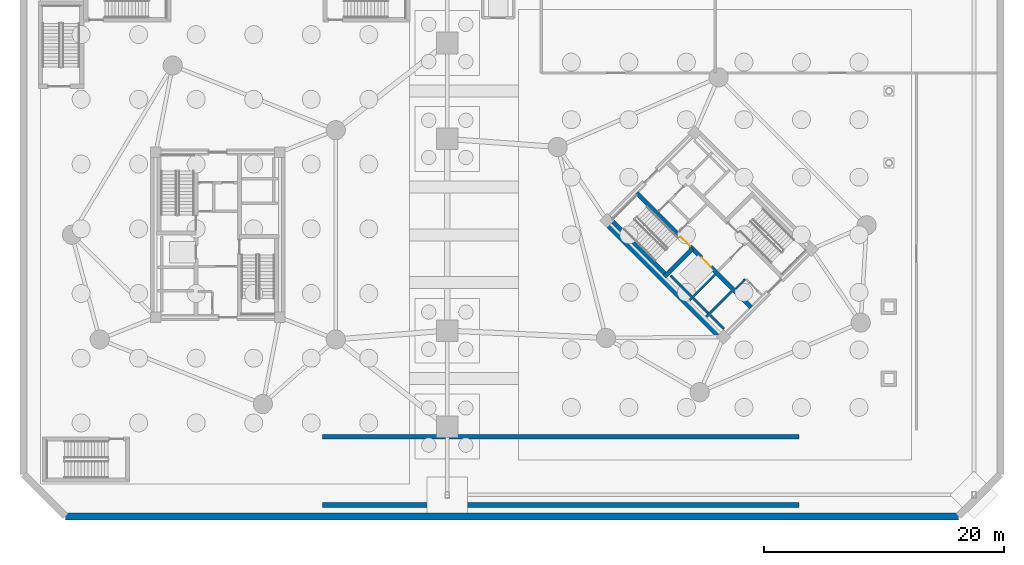
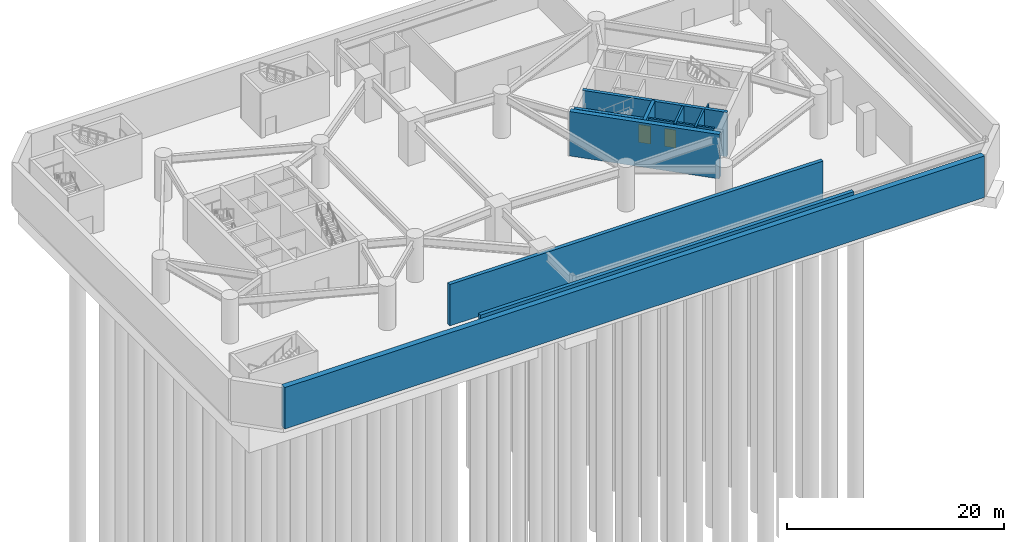
# One storey, part 7 of 15: 13 walls, 2 doors, 2 openings.
"""IFC4 building model written with IfcOpenShell, lengths in metres."""

from ifc_helpers import new_model, si_unit, direction, frame, frame_2d, origin, place, context, subcontext, project, spatial, rectangle, extrude, source, transform, mapped, material, layer, layer_set, type_object, element, fill, save


model = new_model("IFC4")

# Units and contexts
model_context = context("Model", 3, precision=1e-05, world=origin(), true_north=direction((0.0, 1.0)))
body_context = subcontext(model_context, "Body", "Model", "MODEL_VIEW")
ifc_project = project(units=[si_unit("LENGTHUNIT", "METRE"), si_unit("AREAUNIT", "SQUARE_METRE"), si_unit("VOLUMEUNIT", "CUBIC_METRE"), si_unit("PLANEANGLEUNIT", "RADIAN"), si_unit("MASSUNIT", "GRAM", prefix="KILO")], contexts=[model_context])

# Site, building, storey
site_placement = place(None, origin())
site = spatial("IfcSite", under=ifc_project, at=site_placement, CompositionType="ELEMENT")
building_placement = place(site_placement, origin())
building = spatial("IfcBuilding", under=site, at=building_placement, Name="Cununo Teusaquillo Station Towers", CompositionType="ELEMENT")
storey_placement = place(building_placement, frame((0.0, 0.0, -10.0)))
storey = spatial("IfcBuildingStorey", under=building, at=storey_placement, Name="B02", CompositionType="ELEMENT", Elevation=-10.0)

# Walls
ifc_material_1 = material(Name="Concrete C50/60", Category="concrete")
ifc_layer_1 = layer(ifc_material_1, 0.199951171875)
ifc_layer_set_1 = layer_set([ifc_layer_1], Name="Concrete C50/60")
wall_type_1 = type_object("IfcWallType", Name="WL-CORE-200", PredefinedType="SHEAR", material=ifc_layer_set_1)
wall_1_placement = place(storey_placement, frame((55.8876953125, 19.0693359375, 0.0), z_axis=(0.0, 0.0, 1.0), x_axis=(0.707106781187, 0.707106781187, 0.0)))
element("IfcWall", 1, at=wall_1_placement, inside=storey, type_object=wall_type_1, Name="B02 Tower B Firefighting Lift Shaft South Shear Wall", PredefinedType="SHEAR", context=body_context, shape_type="SweptSolid", body=[
    extrude(rectangle(XDim=2.969970703125, YDim=0.199951171875, at=frame_2d((1.48486328125, 0.0))), origin(), (0.0, 0.0, 1.0), 5.0),
])
wall_2_placement = place(storey_placement, frame((56.01513671875, 19.366455078125, 0.0), z_axis=(0.0, 0.0, 1.0), x_axis=(-0.707106781187, 0.707106781187, 0.0)))
element("IfcWall", 2, at=wall_2_placement, inside=storey, type_object=wall_type_1, Name="B02 Tower B Firefighting Lift Shaft Rear Shear Wall", PredefinedType="SHEAR", context=body_context, shape_type="SweptSolid", body=[
    extrude(rectangle(XDim=2.43994140625, YDim=0.199951171875, at=frame_2d((1.219970703125, 0.0))), origin(), (0.0, 0.0, 1.0), 5.0),
])
wall_3_placement = place(storey_placement, frame((57.2841796875, 17.6728515625, 0.0), z_axis=(0.0, 0.0, 1.0), x_axis=(0.707147878904, 0.70706568108, 0.0)))
element("IfcWall", 3, at=wall_3_placement, inside=storey, type_object=wall_type_1, Name="B02 Tower B High-Rise Lift Hoistway Divider Shear Wall", PredefinedType="SHEAR", context=body_context, shape_type="SweptSolid", body=[
    extrude(rectangle(XDim=2.97021484375, YDim=0.199951171875, at=frame_2d((1.485107421875, 0.0))), origin(), (0.0, 0.0, 1.0), 5.0),
])
wall_4_placement = place(storey_placement, frame((57.41162109375, 17.969970703125, 0.0), z_axis=(0.0, 0.0, 1.0), x_axis=(-0.707106781187, 0.707106781187, 0.0)))
element("IfcWall", 4, at=wall_4_placement, inside=storey, type_object=wall_type_1, Name="B02 Tower B High-Rise Lift 2 Shaft Rear Shear Wall", PredefinedType="SHEAR", context=body_context, shape_type="SweptSolid", body=[
    extrude(rectangle(XDim=1.73486328125, YDim=0.199951171875, at=frame_2d((0.867431640625, 0.0))), origin(), (0.0, 0.0, 1.0), 5.0),
])
wall_5_placement = place(storey_placement, frame((58.7373046875, 16.64404296875, 0.0), z_axis=(0.0, 0.0, 1.0), x_axis=(-0.707032117043, 0.707181437447, 0.0)))
element("IfcWall", 5, at=wall_5_placement, inside=storey, type_object=wall_type_1, Name="B02 Tower B High-Rise Lift 1 Shaft Rear Shear Wall", PredefinedType="SHEAR", context=body_context, shape_type="SweptSolid", body=[
    extrude(rectangle(XDim=1.635009765625, YDim=0.199951171875, at=frame_2d((0.8173828125, 0.0))), origin(), (0.0, 0.0, 1.0), 5.0),
])

# Wall, openings, doors
ifc_material_2 = material(Name="Concrete C50/60", Category="concrete")
ifc_layer_2 = layer(ifc_material_2, 0.35009765625)
ifc_layer_set_2 = layer_set([ifc_layer_2], Name="Concrete C50/60")
wall_type_2 = type_object("IfcWallType", Name="WL-CORE-350", PredefinedType="SHEAR", material=ifc_layer_set_2)
wall_6_placement = place(storey_placement, frame((61.095703125, 18.337646484375, 0.0), z_axis=(0.0, 0.0, 1.0), x_axis=(-0.707106781187, 0.707106781187, 0.0)))
wall_6 = element("IfcWall", 6, at=wall_6_placement, inside=storey, type_object=wall_type_2, Name="B02 Tower B Core Shear Wall IW", PredefinedType="SHEAR", context=body_context, shape_type="SweptSolid", body=[
    extrude(rectangle(XDim=13.800048828125, YDim=0.35009765625, at=frame_2d((6.89990234375, 0.0))), origin(), (0.0, 0.0, 1.0), 5.0),
])
shared_shape_1 = source(origin(), body_context, "Body", "SweptSolid", [
    extrude(rectangle(XDim=1.10009765625, YDim=2.014892578125, at=frame_2d((0.550048828125, 1.00732421875))), frame((0.0, 0.18505859375, 0.0), z_axis=(0.0, -1.0, 0.0), x_axis=(1.0, 0.0, 0.0)), (0.0, 0.0, 1.0), 0.3701171875),
])
opening_1_placement = place(wall_6_placement, frame((4.89990234375, 0.0, 0.0)))
opening_1 = element("IfcOpeningElement", 7, at=opening_1_placement, cuts=wall_6, Name="Opening LD-01", PredefinedType="OPENING", context=body_context, shape_type="MappedRepresentation", body=[
    mapped(shared_shape_1, transform((0.0, 0.0, 0.0), x_axis=(1.0, 0.0, 0.0), y_axis=(0.0, 1.0, 0.0), z_axis=(0.0, 0.0, 1.0), scale=1.0)),
])
shared_shape_2 = source(origin(), body_context, "Body", "SweptSolid", [
    extrude(rectangle(XDim=1.14990234375, YDim=2.02001953125, at=frame_2d((0.574951171875, 1.010009765625))), frame((0.0, 0.18505859375, 0.0), z_axis=(0.0, -1.0, 0.0), x_axis=(1.0, 0.0, 0.0)), (0.0, 0.0, 1.0), 0.3701171875),
])
opening_2_placement = place(wall_6_placement, frame((7.320068359375, 0.0, 0.0)))
opening_2 = element("IfcOpeningElement", 8, at=opening_2_placement, cuts=wall_6, Name="Opening D-ST1", PredefinedType="OPENING", context=body_context, shape_type="MappedRepresentation", body=[
    mapped(shared_shape_2, transform((0.0, 0.0, 0.0), x_axis=(1.0, 0.0, 0.0), y_axis=(0.0, 1.0, 0.0), z_axis=(0.0, 0.0, 1.0), scale=1.0)),
])
ifc_material_3 = material(Name="Galvanised fire-rated hollow steel door assembly", Category="steel")
door_type_1 = type_object("IfcDoorType", Name="DR-LIFT-1100", OperationType="SLIDING_TO_LEFT", PredefinedType="DOOR", material=ifc_material_3)
shared_shape_3 = source(origin(), body_context, "Body", "SweptSolid", [
    extrude(rectangle(XDim=1.10009765625, YDim=2.014892578125, at=frame_2d((0.550048828125, 1.00732421875))), frame((0.0, 0.02490234375, 0.0), z_axis=(0.0, -1.0, 0.0), x_axis=(1.0, 0.0, 0.0)), (0.0, 0.0, 1.0), 0.050048828125),
])
door_1_placement = place(opening_1_placement, origin())
door_1 = element("IfcDoor", 9, at=door_1_placement, inside=storey, type_object=door_type_1, Name="B02 Lift FL-T2 Sliding Landing Door", OperationType="SLIDING_TO_RIGHT", OverallHeight=2.014892578125, OverallWidth=1.10009765625, PredefinedType="DOOR", context=body_context, shape_type="MappedRepresentation", body=[
    mapped(shared_shape_3, transform((0.0, 0.0, 0.0), x_axis=(1.0, 0.0, 0.0), y_axis=(0.0, 1.0, 0.0), z_axis=(0.0, 0.0, 1.0), scale=1.0)),
])
fill(opening_1, door_1)
ifc_material_4 = material(Name="Galvanised fire-rated hollow steel door assembly", Category="steel")
door_type_2 = type_object("IfcDoorType", Name="DR-STAIR-1150", OperationType="NOTDEFINED", PredefinedType="DOOR", material=ifc_material_4)
shared_shape_4 = source(origin(), body_context, "Body", "SweptSolid", [
    extrude(rectangle(XDim=1.14990234375, YDim=2.02001953125, at=frame_2d((0.574951171875, 1.010009765625))), frame((0.0, 0.02490234375, 0.0), z_axis=(0.0, -1.0, 0.0), x_axis=(1.0, 0.0, 0.0)), (0.0, 0.0, 1.0), 0.050048828125),
])
door_2_placement = place(opening_2_placement, origin())
door_2 = element("IfcDoor", 10, at=door_2_placement, inside=storey, type_object=door_type_2, Name="B02 Tower B Exit Stair 1 Fire Door", OperationType="SINGLE_SWING_RIGHT", OverallHeight=2.02001953125, OverallWidth=1.14990234375, PredefinedType="DOOR", context=body_context, shape_type="MappedRepresentation", body=[
    mapped(shared_shape_4, transform((0.0, 0.0, 0.0), x_axis=(1.0, 0.0, 0.0), y_axis=(0.0, 1.0, 0.0), z_axis=(0.0, 0.0, 1.0), scale=1.0)),
])
fill(opening_2, door_2)

# Walls
wall_7_placement = place(storey_placement, frame((53.922119140625, 21.14111328125, 0.0), z_axis=(0.0, 0.0, 1.0), x_axis=(-0.707106781187, 0.707106781187, 0.0)))
element("IfcWall", 11, at=wall_7_placement, inside=storey, type_object=wall_type_2, Name="B02 Tower B Core Shear Wall ST1W", PredefinedType="SHEAR", context=body_context, shape_type="SweptSolid", body=[
    extrude(rectangle(XDim=6.7451171875, YDim=0.35009765625, at=frame_2d((3.37255859375, 0.0))), origin(), (0.0, 0.0, 1.0), 5.0),
])
wall_8_placement = place(storey_placement, frame((53.7841796875, 21.00341796875, 0.0), z_axis=(0.0, 0.0, 1.0), x_axis=(0.707106781187, 0.707106781187, 0.0)))
element("IfcWall", 12, at=wall_8_placement, inside=storey, type_object=wall_type_2, Name="B02 Tower B Core Shear Wall ST1S", PredefinedType="SHEAR", context=body_context, shape_type="SweptSolid", body=[
    extrude(rectangle(XDim=3.284912109375, YDim=0.35009765625, at=frame_2d((1.642578125, 0.0))), origin(), (0.0, 0.0, 1.0), 5.0),
])
ifc_material_5 = material(Name="Concrete C50/60", Category="concrete")
ifc_layer_3 = layer(ifc_material_5, 0.39990234375)
ifc_layer_set_3 = layer_set([ifc_layer_3], Name="Concrete C50/60")
wall_type_3 = type_object("IfcWallType", Name="WL-CORE-400", PredefinedType="SHEAR", material=ifc_layer_set_3)
for number, where, z_axis, x_axis, name in (
    (13, (25.25, 1.9599609375, 0.0), (0.0, 0.0, 1.0), (1.0, 0.0, 0.0), "B02 Vehicle Ramp Support Wall S"),
    (14, (25.25, 7.639892578125, 0.0), (0.0, 0.0, 1.0), (1.0, 0.0, 0.0), "B02 Vehicle Ramp Support Wall N"),
):
    element("IfcWall", number, at=place(storey_placement, frame(where, z_axis=z_axis, x_axis=x_axis)), inside=storey, type_object=wall_type_3, Name=name, PredefinedType="SHEAR", context=body_context, shape_type="SweptSolid", body=[
        extrude(rectangle(XDim=39.75, YDim=0.39990234375, at=frame_2d((19.875, 0.0))), origin(), (0.0, 0.0, 1.0), 4.659912109375),
    ])
ifc_material_6 = material(Name="Concrete C60/75", Category="concrete")
ifc_layer_4 = layer(ifc_material_6, 0.5)
ifc_layer_set_4 = layer_set([ifc_layer_4], Name="Concrete C60/75")
wall_type_4 = type_object("IfcWallType", Name="WL-CORE-500", PredefinedType="SHEAR", material=ifc_layer_set_4)
wall_9_placement = place(storey_placement, frame((58.772705078125, 15.6611328125, 0.0), z_axis=(0.0, 0.0, 1.0), x_axis=(-0.707106781187, 0.707106781187, 0.0)))
element("IfcWall", 15, at=wall_9_placement, inside=storey, type_object=wall_type_4, Name="B02 Tower B Core Shear Wall W", PredefinedType="SHEAR", context=body_context, shape_type="SweptSolid", body=[
    extrude(rectangle(XDim=14.2998046875, YDim=0.5, at=frame_2d((7.14990234375, 0.0))), origin(), (0.0, 0.0, 1.0), 5.0),
])
ifc_material_7 = material(Name="Fire-rated gypsum plasterboard partition assembly", Category="gypsum")
ifc_layer_5 = layer(ifc_material_7, 0.125)
ifc_layer_set_5 = layer_set([ifc_layer_5], Name="Fire-rated gypsum plasterboard partition assembly")
wall_type_5 = type_object("IfcWallType", Name="WL-PART-125", PredefinedType="PARTITIONING", material=ifc_layer_set_5)
wall_10_placement = place(storey_placement, frame((59.713134765625, 19.99560546875, 0.0), z_axis=(0.0, 0.0, 1.0), x_axis=(0.707217726, 0.706995818963, 0.0)))
element("IfcWall", 16, at=wall_10_placement, inside=storey, type_object=wall_type_5, Name="B02 Tower B South-West Compact Store North Wall", PredefinedType="PARTITIONING", context=body_context, shape_type="SweptSolid", body=[
    extrude(rectangle(XDim=1.10009765625, YDim=0.125, at=frame_2d((0.550048828125, 0.0))), origin(), (0.0, 0.0, 1.0), 4.64501953125),
])
ifc_material_8 = material(Name="Concrete C50/60", Category="concrete")
ifc_layer_6 = layer(ifc_material_8, 0.60009765625)
ifc_layer_set_6 = layer_set([ifc_layer_6], Name="Concrete C50/60")
wall_type_6 = type_object("IfcWallType", Name="WL-RET-600", PredefinedType="SOLIDWALL", material=ifc_layer_set_6)
wall_11_placement = place(storey_placement, frame((3.800048828125, 1.0, 0.0), z_axis=(0.0, 0.0, 1.0), x_axis=(1.0, 0.0, 0.0)))
element("IfcWall", 17, at=wall_11_placement, inside=storey, type_object=wall_type_6, Name="B02 Basement Diaphragm Retaining Wall 1", PredefinedType="SOLIDWALL", context=body_context, shape_type="SweptSolid", body=[
    extrude(rectangle(XDim=74.5, YDim=0.60009765625, at=frame_2d((37.25, 0.0))), origin(), (0.0, 0.0, 1.0), 4.659912109375),
])

save(model, "model.ifc")
